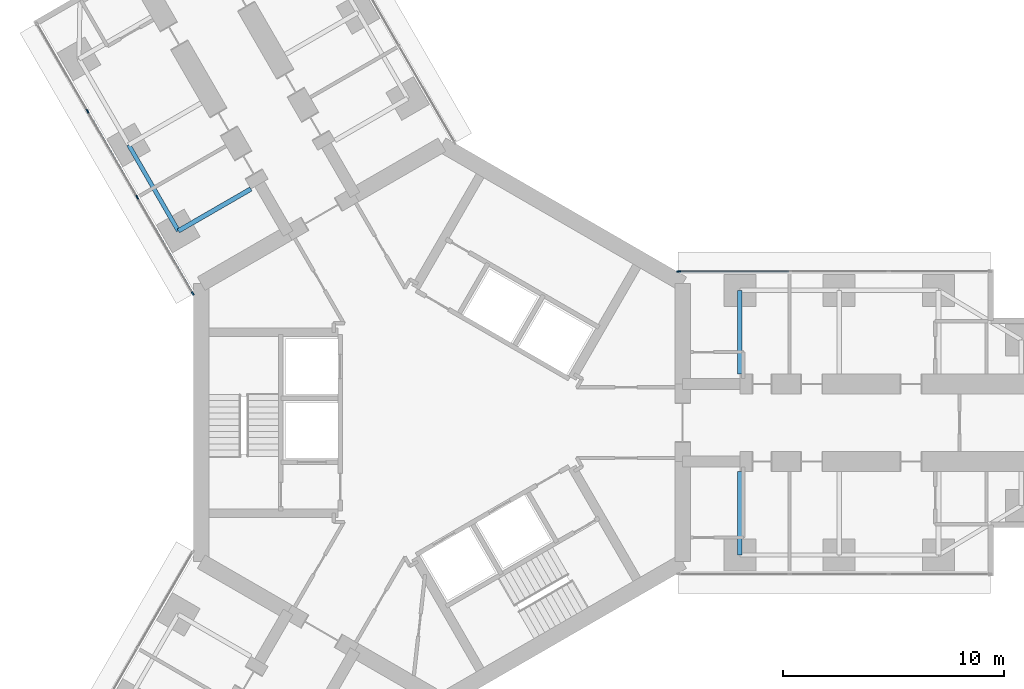
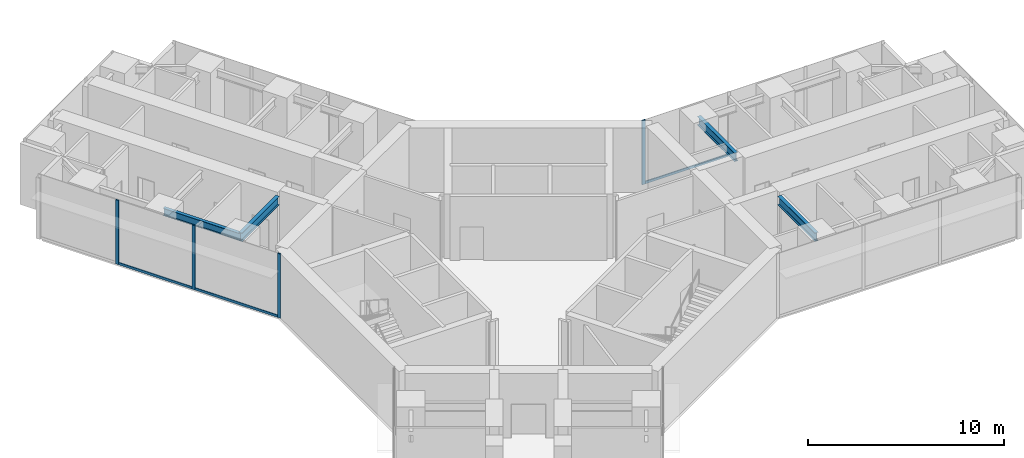
# One storey, part 6 of 24: 7 members, 4 beams, 2 elements without a shape of their own.
"""IFC4 building model written with IfcOpenShell, lengths in metres."""

from ifc_helpers import new_model, si_unit, direction, frame, origin, origin_2d, place, context, subcontext, project, spatial, rectangle, i_section, extrude, material, material_profile, profile_set, type_object, element, aggregate, save


model = new_model("IFC4")

# Units and contexts
model_context = context("Model", 3, precision=1e-05, world=origin(), true_north=direction((0.0, 1.0)))
body_context = subcontext(model_context, "Body", "Model", "MODEL_VIEW")
ifc_project = project(units=[si_unit("LENGTHUNIT", "METRE"), si_unit("AREAUNIT", "SQUARE_METRE"), si_unit("VOLUMEUNIT", "CUBIC_METRE"), si_unit("PLANEANGLEUNIT", "RADIAN"), si_unit("MASSUNIT", "GRAM", prefix="KILO")], contexts=[model_context])

# Site, building, storey
site_placement = place(None, origin())
site = spatial("IfcSite", under=ifc_project, at=site_placement, CompositionType="ELEMENT")
building_placement = place(site_placement, origin())
building = spatial("IfcBuilding", under=site, at=building_placement, Name="Upepo Twin Towers", CompositionType="ELEMENT")
storey_placement = place(building_placement, frame((0.0, 0.0, 48.5)))
storey = spatial("IfcBuildingStorey", under=building, at=storey_placement, Name="L11", CompositionType="ELEMENT", Elevation=48.5)

# Beams
ifc_material_1 = material(Name="Steel S355", Category="steel")
ifc_material_profile_1 = material_profile(ifc_material_1, i_section(OverallWidth=0.1904296875, OverallDepth=0.45703125, WebThickness=0.009033203125, FlangeThickness=0.014404296875, FilletRadius=0.01025390625, at=origin_2d()), Name="UB 457x191x74")
ifc_profile_set_1 = profile_set([ifc_material_profile_1], Name="Steel S355")
beam_type_1 = type_object("IfcBeamType", Name="Beam UB 457x191x74", PredefinedType="BEAM", material=ifc_profile_set_1)
beam_1_placement = place(storey_placement, frame((-11.946044921875, 8.69140625, 3.571533203125), z_axis=(-0.500013631625, 0.866017533419, 0.0), x_axis=(-0.866017533419, -0.500013631625, 0.0)))
element("IfcBeam", 1, at=beam_1_placement, inside=storey, type_object=beam_type_1, Name="T1 edge beam BL 13.5-18.0", PredefinedType="BEAM", context=body_context, shape_type="SweptSolid", body=[
    extrude(i_section(OverallWidth=0.1904296875, OverallDepth=0.45703125, WebThickness=0.009033203125, FlangeThickness=0.014404296875, FilletRadius=0.01025390625, at=origin_2d()), origin(), (0.0, 0.0, 1.0), 4.499755859375),
])
ifc_material_2 = material(Name="Steel S355", Category="steel")
ifc_material_profile_2 = material_profile(ifc_material_2, i_section(OverallWidth=0.209228515625, OverallDepth=0.533203125, WebThickness=0.010009765625, FlangeThickness=0.015625, FilletRadius=0.0126953125, at=origin_2d()), Name="UB 533x210x92")
ifc_profile_set_2 = profile_set([ifc_material_profile_2], Name="Steel S355")
beam_type_2 = type_object("IfcBeamType", Name="Beam UB 533x210x92", PredefinedType="BEAM", material=ifc_profile_set_2)
for number, where, z_axis, x_axis, name in (
    (2, (13.5, 6.0, 3.533447265625), (0.0, -1.0, 0.0), (1.0, 0.0, 0.0), "T1 girder AL at 13.5"),
    (3, (13.5, -6.0, 3.533447265625), (0.0, 1.0, 0.0), (-1.0, 0.0, 0.0), "T1 girder AR at 13.5"),
):
    element("IfcBeam", number, at=place(storey_placement, frame(where, z_axis=z_axis, x_axis=x_axis)), inside=storey, type_object=beam_type_2, Name=name, PredefinedType="BEAM", context=body_context, shape_type="SweptSolid", body=[
        extrude(i_section(OverallWidth=0.209228515625, OverallDepth=0.533203125, WebThickness=0.010009765625, FlangeThickness=0.015625, FilletRadius=0.0126953125, at=origin_2d()), origin(), (0.0, 0.0, 1.0), 3.800048828125),
    ])
beam_2_placement = place(storey_placement, frame((-11.946044921875, 8.69140625, 3.533447265625), z_axis=(0.866028304915, 0.499994975061, 0.0), x_axis=(-0.499994975061, 0.866028304915, 0.0)))
element("IfcBeam", 4, at=beam_2_placement, inside=storey, type_object=beam_type_2, Name="T1 girder BL at 13.5", PredefinedType="BEAM", context=body_context, shape_type="SweptSolid", body=[
    extrude(i_section(OverallWidth=0.209228515625, OverallDepth=0.533203125, WebThickness=0.010009765625, FlangeThickness=0.015625, FilletRadius=0.0126953125, at=origin_2d()), origin(), (0.0, 0.0, 1.0), 3.7998046875),
])

# Curtain wall, member
ifc_material_3 = material(Name="Aluminium and fritted glass", Category="aluminium")
curtain_wall_type = type_object("IfcCurtainWallType", Name="Tower curtain wall TW1, fritted glass", PredefinedType="NOTDEFINED", material=ifc_material_3)
curtain_wall_1_placement = place(storey_placement, origin())
curtain_wall_1 = element("IfcCurtainWall", 5, at=curtain_wall_1_placement, inside=storey, type_object=curtain_wall_type, Name="T1 L11 wing A flank L curtain wall", PredefinedType="NOTDEFINED")
ifc_material_4 = material(Name="Aluminium mullion", Category="aluminium")
ifc_material_profile_3 = material_profile(ifc_material_4, rectangle(XDim=0.06494140625, YDim=0.179931640625, at=origin_2d()), Name="MULLION 65x180")
ifc_profile_set_3 = profile_set([ifc_material_profile_3], Name="Aluminium mullion")
member_type_1 = type_object("IfcMemberType", Name="Mullion 65x180 TW1", PredefinedType="MULLION", material=ifc_profile_set_3)
member_1_placement = place(storey_placement, frame((10.7197265625, 6.85009765625, 0.0), z_axis=(0.0, 0.0, 1.0), x_axis=(0.0, 1.0, 0.0)))
member_1 = element("IfcMember", 6, at=member_1_placement, type_object=member_type_1, Name="T1 L11 wing A flank L curtain wall mullion 1", PredefinedType="MULLION", context=body_context, shape_type="SweptSolid", body=[
    extrude(rectangle(XDim=0.06494140625, YDim=0.179931640625, at=origin_2d()), origin(), (0.0, 0.0, 1.0), 4.0),
])

# Curtain wall, members
curtain_wall_2_placement = place(storey_placement, origin())
curtain_wall_2 = element("IfcCurtainWall", 7, at=curtain_wall_2_placement, inside=storey, type_object=curtain_wall_type, Name="T1 L11 wing B flank L curtain wall", PredefinedType="NOTDEFINED")
member_2_placement = place(storey_placement, frame((-11.2919921875, 5.8583984375, 0.0), z_axis=(0.0, 0.0, 1.0), x_axis=(-0.866025389682, -0.500000024426, 0.0)))
member_2 = element("IfcMember", 8, at=member_2_placement, type_object=member_type_1, Name="T1 L11 wing B flank L curtain wall mullion 1", PredefinedType="MULLION", context=body_context, shape_type="SweptSolid", body=[
    extrude(rectangle(XDim=0.06494140625, YDim=0.179931640625, at=origin_2d()), origin(), (0.0, 0.0, 1.0), 4.0),
])
member_3_placement = place(storey_placement, frame((-13.807373046875, 10.21484375, 0.0), z_axis=(0.0, 0.0, 1.0), x_axis=(-0.866025389682, -0.500000024426, 0.0)))
member_3 = element("IfcMember", 9, at=member_3_placement, type_object=member_type_1, Name="T1 L11 wing B flank L curtain wall mullion 2", PredefinedType="MULLION", context=body_context, shape_type="SweptSolid", body=[
    extrude(rectangle(XDim=0.06494140625, YDim=0.179931640625, at=origin_2d()), origin(), (0.0, 0.0, 1.0), 4.0),
])
member_4_placement = place(storey_placement, frame((-16.057373046875, 14.112060546875, 0.0), z_axis=(0.0, 0.0, 1.0), x_axis=(-0.866025389682, -0.500000024426, 0.0)))
member_4 = element("IfcMember", 10, at=member_4_placement, type_object=member_type_1, Name="T1 L11 wing B flank L curtain wall mullion 3", PredefinedType="MULLION", context=body_context, shape_type="SweptSolid", body=[
    extrude(rectangle(XDim=0.06494140625, YDim=0.179931640625, at=origin_2d()), origin(), (0.0, 0.0, 1.0), 4.0),
])

# Member
ifc_material_5 = material(Name="Aluminium transom", Category="aluminium")
ifc_material_profile_4 = material_profile(ifc_material_5, rectangle(XDim=0.06494140625, YDim=0.14990234375, at=origin_2d()), Name="TRANSOM 65x150")
ifc_profile_set_4 = profile_set([ifc_material_profile_4], Name="Aluminium transom")
member_type_2 = type_object("IfcMemberType", Name="Transom 65x150 TW1", PredefinedType="USERDEFINED", material=ifc_profile_set_4)
member_5_placement = place(storey_placement, frame((10.752197265625, 6.85009765625, 0.074951171875), z_axis=(1.0, 0.0, 0.0), x_axis=(0.0, 1.0, 0.0)))
member_5 = element("IfcMember", 11, at=member_5_placement, type_object=member_type_2, Name="T1 L11 wing A flank L curtain wall transom 1", ObjectType="TRANSOM", PredefinedType="USERDEFINED", context=body_context, shape_type="SweptSolid", body=[
    extrude(rectangle(XDim=0.06494140625, YDim=0.14990234375, at=origin_2d()), origin(), (0.0, 0.0, 1.0), 4.96533203125),
])

aggregate(curtain_wall_1, [member_1, member_5])

member_6_placement = place(storey_placement, frame((-11.308349609375, 5.88671875, 0.074951171875), z_axis=(-0.50000478328, 0.866022642139, 0.0), x_axis=(-0.866022642139, -0.50000478328, 0.0)))
member_6 = element("IfcMember", 12, at=member_6_placement, type_object=member_type_2, Name="T1 L11 wing B flank L curtain wall transom 1", ObjectType="TRANSOM", PredefinedType="USERDEFINED", context=body_context, shape_type="SweptSolid", body=[
    extrude(rectangle(XDim=0.06494140625, YDim=0.14990234375, at=origin_2d()), origin(), (0.0, 0.0, 1.0), 4.96533203125),
])

member_7_placement = place(storey_placement, frame((-13.823486328125, 10.2431640625, 0.074951171875), z_axis=(-0.500005184116, 0.866022410713, 0.0), x_axis=(-0.866022410713, -0.500005184116, 0.0)))
member_7 = element("IfcMember", 13, at=member_7_placement, type_object=member_type_2, Name="T1 L11 wing B flank L curtain wall transom 2", ObjectType="TRANSOM", PredefinedType="USERDEFINED", context=body_context, shape_type="SweptSolid", body=[
    extrude(rectangle(XDim=0.06494140625, YDim=0.14990234375, at=origin_2d()), origin(), (0.0, 0.0, 1.0), 4.43505859375),
])

aggregate(curtain_wall_2, [member_2, member_3, member_4, member_6, member_7])

save(model, "model.ifc")
